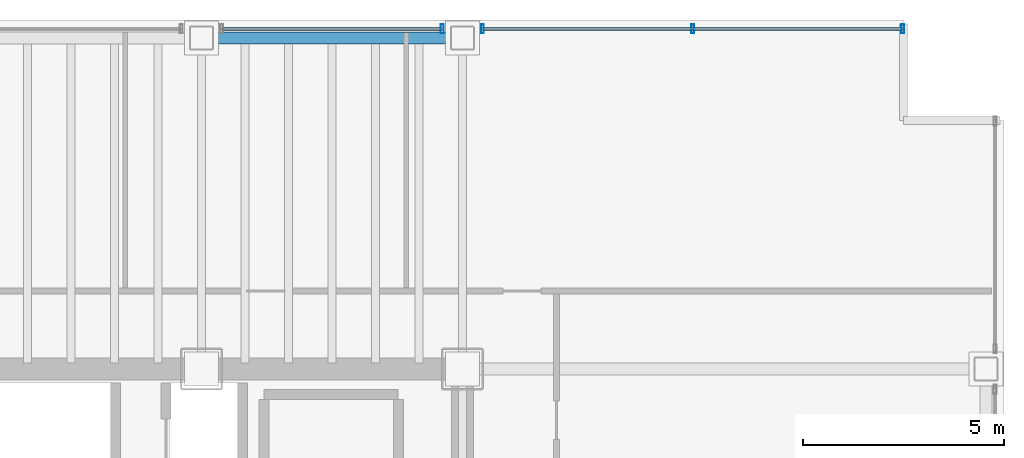
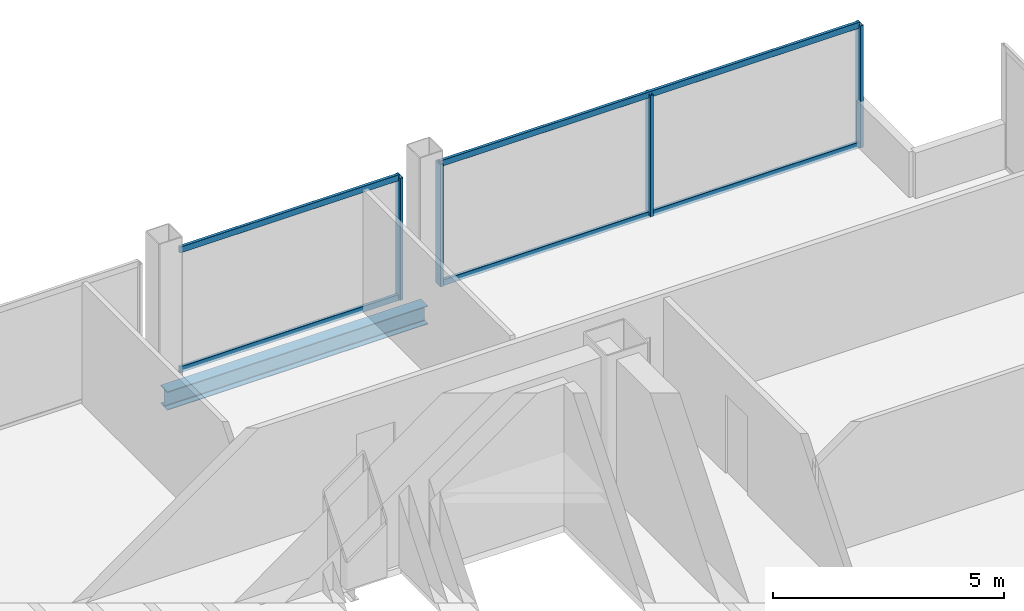
# One storey, part 15 of 20: 8 members, 1 beam, 2 elements without a shape of their own.
"""IFC4 building model written with IfcOpenShell, lengths in metres."""

from ifc_helpers import new_model, si_unit, direction, frame, origin, origin_2d, place, context, subcontext, project, spatial, hollow_rectangle, i_section, extrude, material, material_profile, profile_set, type_object, element, aggregate, save


model = new_model("IFC4")

# Units and contexts
model_context = context("Model", 3, precision=1e-05, world=origin(), true_north=direction((0.0, 1.0)))
body_context = subcontext(model_context, "Body", "Model", "MODEL_VIEW")
ifc_project = project(units=[si_unit("LENGTHUNIT", "METRE"), si_unit("AREAUNIT", "SQUARE_METRE"), si_unit("VOLUMEUNIT", "CUBIC_METRE"), si_unit("PLANEANGLEUNIT", "RADIAN"), si_unit("MASSUNIT", "GRAM", prefix="KILO")], contexts=[model_context])

# Site, building, storey
site_placement = place(None, origin())
site = spatial("IfcSite", under=ifc_project, at=site_placement, CompositionType="ELEMENT")
building_placement = place(site_placement, origin())
building = spatial("IfcBuilding", under=site, at=building_placement, Name="Noeulbin Bourse Tower", CompositionType="ELEMENT")
storey_placement = place(building_placement, frame((0.0, 0.0, 61.60009765625)))
storey = spatial("IfcBuildingStorey", under=building, at=storey_placement, Name="L15", CompositionType="ELEMENT", Elevation=61.60009765625)

# Beam
ifc_material_1 = material(Name="Steel S355", Category="steel")
ifc_material_profile_1 = material_profile(ifc_material_1, i_section(OverallWidth=0.300048828125, OverallDepth=0.488037109375, WebThickness=0.010986328125, FlangeThickness=0.01806640625, FilletRadius=0.02197265625, at=origin_2d()), Name="H-488x300x11x18", Category="LoadBearing")
ifc_profile_set_1 = profile_set([ifc_material_profile_1], Name="Steel S355")
beam_type = type_object("IfcBeamType", Name="BM-SPN-488", PredefinedType="SPANDREL", material=ifc_profile_set_1)
beam_placement = place(storey_placement, frame((37.5, 46.550048828125, -0.424072265625), z_axis=(1.0, 0.0, 0.0), x_axis=(0.0, 1.0, 0.0)))
element("IfcBeam", 1, at=beam_placement, inside=storey, type_object=beam_type, Name="North Spandrel L15-4", PredefinedType="SPANDREL", context=body_context, shape_type="SweptSolid", body=[
    extrude(i_section(OverallWidth=0.300048828125, OverallDepth=0.488037109375, WebThickness=0.010986328125, FlangeThickness=0.01806640625, FilletRadius=0.02197265625, at=origin_2d()), origin(), (0.0, 0.0, 1.0), 6.5),
])

# Curtain wall, member
ifc_material_2 = material(Name="Dark Solar-Control Double Glazing", Category="glass")
curtain_wall_type = type_object("IfcCurtainWallType", Name="CW-SYS-2", PredefinedType="NOTDEFINED", material=ifc_material_2)
curtain_wall_1_placement = place(storey_placement, origin())
curtain_wall_1 = element("IfcCurtainWall", 2, at=curtain_wall_1_placement, inside=storey, type_object=curtain_wall_type, Name="Unitised Curtain Wall CW-L15-N-S5", PredefinedType="NOTDEFINED")
ifc_material_3 = material(Name="Anodised Aluminium 6063-T6", Category="aluminium")
ifc_material_profile_2 = material_profile(ifc_material_3, hollow_rectangle(XDim=0.074951171875, YDim=0.219970703125, WallThickness=0.0048828125, InnerFilletRadius=0.00244140625, OuterFilletRadius=0.0048828125, at=origin_2d()), Name="ALU-MULL-75x220x5", Category="LoadBearing")
ifc_profile_set_2 = profile_set([ifc_material_profile_2], Name="Anodised Aluminium 6063-T6")
member_type_1 = type_object("IfcMemberType", Name="CW-SYS-2-MUL", PredefinedType="MULLION", material=ifc_profile_set_2)
member_1_placement = place(storey_placement, frame((43.5, 46.780029296875, -0.02001953125), z_axis=(0.0, 0.0, 1.0), x_axis=(1.0, 0.0, 0.0)))
member_1 = element("IfcMember", 3, at=member_1_placement, type_object=member_type_1, Name="Curtain Wall Mullion CW-L15-N-S5-M01", PredefinedType="MULLION", context=body_context, shape_type="SweptSolid", body=[
    extrude(hollow_rectangle(XDim=0.074951171875, YDim=0.219970703125, WallThickness=0.0048828125, InnerFilletRadius=0.00244140625, OuterFilletRadius=0.0048828125, at=origin_2d()), origin(), (0.0, 0.0, 1.0), 3.219970703125),
])

# Curtain wall, members
curtain_wall_2_placement = place(storey_placement, origin())
curtain_wall_2 = element("IfcCurtainWall", 4, at=curtain_wall_2_placement, inside=storey, type_object=curtain_wall_type, Name="Unitised Curtain Wall CW-L15-N-S6", PredefinedType="NOTDEFINED")
member_2_placement = place(storey_placement, frame((44.5, 46.780029296875, -0.02001953125), z_axis=(0.0, 0.0, 1.0), x_axis=(1.0, 0.0, 0.0)))
member_2 = element("IfcMember", 5, at=member_2_placement, type_object=member_type_1, Name="Curtain Wall Mullion CW-L15-N-S6-M00", PredefinedType="MULLION", context=body_context, shape_type="SweptSolid", body=[
    extrude(hollow_rectangle(XDim=0.074951171875, YDim=0.219970703125, WallThickness=0.0048828125, InnerFilletRadius=0.00244140625, OuterFilletRadius=0.0048828125, at=origin_2d()), origin(), (0.0, 0.0, 1.0), 3.219970703125),
])
member_3_placement = place(storey_placement, frame((49.739990234375, 46.780029296875, -0.02001953125), z_axis=(0.0, 0.0, 1.0), x_axis=(1.0, 0.0, 0.0)))
member_3 = element("IfcMember", 6, at=member_3_placement, type_object=member_type_1, Name="Curtain Wall Mullion CW-L15-N-S6-M01", PredefinedType="MULLION", context=body_context, shape_type="SweptSolid", body=[
    extrude(hollow_rectangle(XDim=0.074951171875, YDim=0.219970703125, WallThickness=0.0048828125, InnerFilletRadius=0.00244140625, OuterFilletRadius=0.0048828125, at=origin_2d()), origin(), (0.0, 0.0, 1.0), 3.219970703125),
])
member_4_placement = place(storey_placement, frame((54.97998046875, 46.780029296875, -0.02001953125), z_axis=(0.0, 0.0, 1.0), x_axis=(1.0, 0.0, 0.0)))
member_4 = element("IfcMember", 7, at=member_4_placement, type_object=member_type_1, Name="Curtain Wall Mullion CW-L15-N-S6-M02", PredefinedType="MULLION", context=body_context, shape_type="SweptSolid", body=[
    extrude(hollow_rectangle(XDim=0.074951171875, YDim=0.219970703125, WallThickness=0.0048828125, InnerFilletRadius=0.00244140625, OuterFilletRadius=0.0048828125, at=origin_2d()), origin(), (0.0, 0.0, 1.0), 3.219970703125),
])

# Member
ifc_material_profile_3 = material_profile(ifc_material_3, hollow_rectangle(XDim=0.074951171875, YDim=0.159912109375, WallThickness=0.0048828125, InnerFilletRadius=0.00244140625, OuterFilletRadius=0.0048828125, at=origin_2d()), Name="ALU-TRAN-75x160x5", Category="LoadBearing")
ifc_profile_set_3 = profile_set([ifc_material_profile_3], Name="Anodised Aluminium 6063-T6")
member_type_2 = type_object("IfcMemberType", Name="CW-SYS-2-TRN", PredefinedType="USERDEFINED", material=ifc_profile_set_3)
member_5_placement = place(storey_placement, frame((38.010009765625, 46.780029296875, 0.010009765625), z_axis=(1.0, 0.0, 0.0), x_axis=(0.0, 1.0, 0.0)))
member_5 = element("IfcMember", 8, at=member_5_placement, type_object=member_type_2, Name="Curtain Wall Transom CW-L15-N-S5-T00", ObjectType="TRANSOM", PredefinedType="USERDEFINED", context=body_context, shape_type="SweptSolid", body=[
    extrude(hollow_rectangle(XDim=0.074951171875, YDim=0.159912109375, WallThickness=0.0048828125, InnerFilletRadius=0.00244140625, OuterFilletRadius=0.0048828125, at=origin_2d()), origin(), (0.0, 0.0, 1.0), 5.47998046875),
])

member_6_placement = place(storey_placement, frame((38.010009765625, 46.780029296875, 3.169921875), z_axis=(1.0, 0.0, 0.0), x_axis=(0.0, 1.0, 0.0)))
member_6 = element("IfcMember", 9, at=member_6_placement, type_object=member_type_2, Name="Curtain Wall Transom CW-L15-N-S5-T01", ObjectType="TRANSOM", PredefinedType="USERDEFINED", context=body_context, shape_type="SweptSolid", body=[
    extrude(hollow_rectangle(XDim=0.074951171875, YDim=0.159912109375, WallThickness=0.0048828125, InnerFilletRadius=0.00244140625, OuterFilletRadius=0.0048828125, at=origin_2d()), origin(), (0.0, 0.0, 1.0), 5.47998046875),
])

aggregate(curtain_wall_1, [member_1, member_5, member_6])

member_7_placement = place(storey_placement, frame((44.510009765625, 46.780029296875, 0.010009765625), z_axis=(1.0, 0.0, 0.0), x_axis=(0.0, 1.0, 0.0)))
member_7 = element("IfcMember", 10, at=member_7_placement, type_object=member_type_2, Name="Curtain Wall Transom CW-L15-N-S6-T00", ObjectType="TRANSOM", PredefinedType="USERDEFINED", context=body_context, shape_type="SweptSolid", body=[
    extrude(hollow_rectangle(XDim=0.074951171875, YDim=0.159912109375, WallThickness=0.0048828125, InnerFilletRadius=0.00244140625, OuterFilletRadius=0.0048828125, at=origin_2d()), origin(), (0.0, 0.0, 1.0), 10.4599609375),
])

member_8_placement = place(storey_placement, frame((44.510009765625, 46.780029296875, 3.169921875), z_axis=(1.0, 0.0, 0.0), x_axis=(0.0, 1.0, 0.0)))
member_8 = element("IfcMember", 11, at=member_8_placement, type_object=member_type_2, Name="Curtain Wall Transom CW-L15-N-S6-T01", ObjectType="TRANSOM", PredefinedType="USERDEFINED", context=body_context, shape_type="SweptSolid", body=[
    extrude(hollow_rectangle(XDim=0.074951171875, YDim=0.159912109375, WallThickness=0.0048828125, InnerFilletRadius=0.00244140625, OuterFilletRadius=0.0048828125, at=origin_2d()), origin(), (0.0, 0.0, 1.0), 10.4599609375),
])

aggregate(curtain_wall_2, [member_2, member_3, member_4, member_7, member_8])

save(model, "model.ifc")
